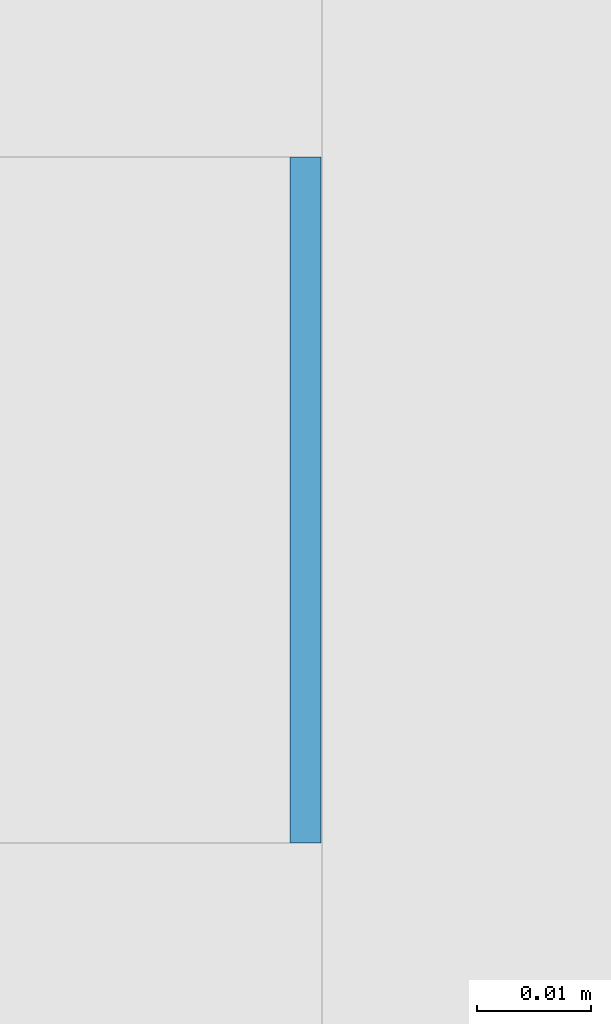
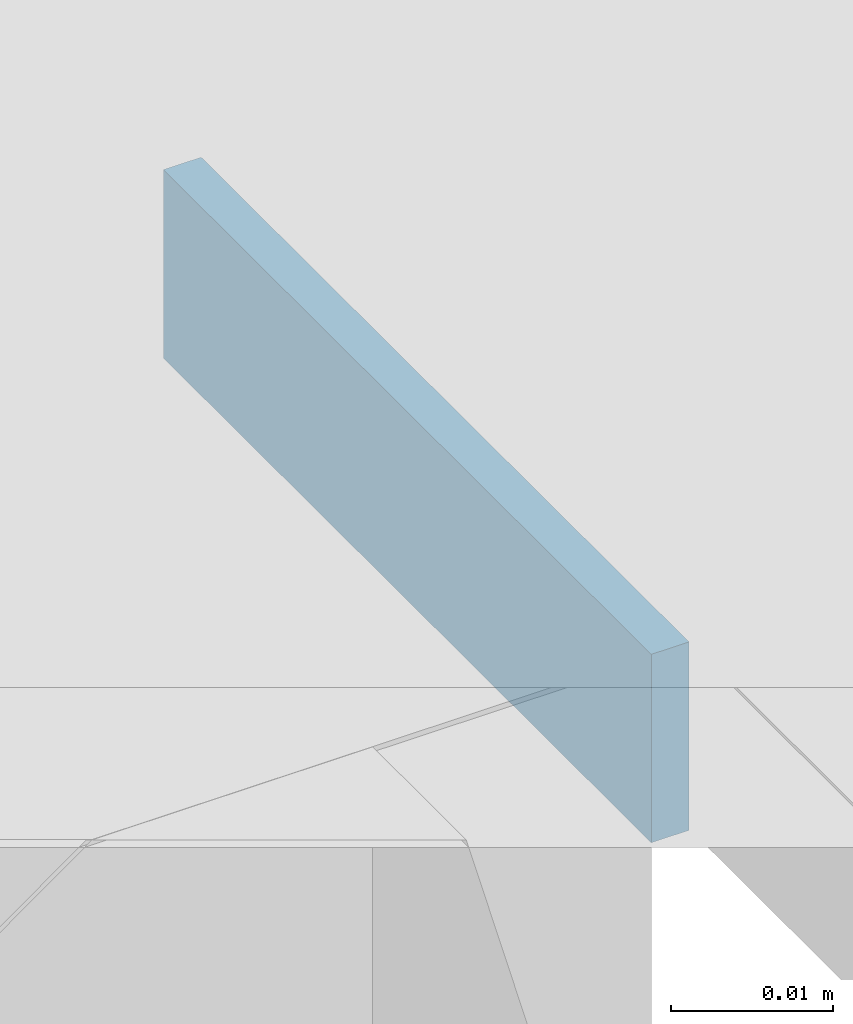
# One storey, part 623 of 646: 1 discrete accessory.
"""IFC4 building model written with IfcOpenShell, lengths in metres."""

import ifcopenshell
import ifcopenshell.guid

model = None  # the IFC model being written
_history = None  # IfcOwnerHistory: only IFC2X3 demands one
_inside = {}  # id of a spatial element -> (the spatial element, [elements in it])
_under = {}  # id of a project, library or spatial element -> (it, [spatial elements below it])
_declared = {}  # id of a project -> (the project, [libraries it declares])
_typed = {}  # id of a type object -> (the type object, [elements of that type])
_made_of = {}  # id of a material, layer set ... -> (it, [elements and type objects made of it])


def new_model(schema):
    """Start an empty IFC model of exactly this schema.

    Asked for "IFC4X3", IfcOpenShell would pick the latest addendum, in which some entities
    have other attributes; the version numbers below select the first issue.
    IFC2X3 requires an IfcOwnerHistory on every rooted entity: one is made here for all.
    """
    global model, _history
    if schema == "IFC4X3":
        model = ifcopenshell.file(schema_version=(4, 3, 0, 0))
    else:
        model = ifcopenshell.file(schema=schema)
    _inside.clear()
    _under.clear()
    _declared.clear()
    _typed.clear()
    _made_of.clear()
    _history = None
    if model.schema == "IFC2X3":
        org = make("IfcOrganization", Name="unknown")
        user = make(
            "IfcPersonAndOrganization",
            ThePerson=make("IfcPerson", FamilyName="unknown"),
            TheOrganization=org,
        )
        app = make(
            "IfcApplication",
            ApplicationDeveloper=org,
            Version="unknown",
            ApplicationFullName="unknown",
            ApplicationIdentifier="unknown",
        )
        _history = make(
            "IfcOwnerHistory",
            OwningUser=user,
            OwningApplication=app,
            ChangeAction="ADDED",
            CreationDate=0,
        )
    return model


def make(cls, **values):
    """One entity of the class cls with the attributes given. An attribute that is None is left unset."""
    return model.create_entity(
        cls, **{name: value for name, value in values.items() if value is not None}
    )


def rooted(cls, **values):
    """An entity with a GlobalId (a new one), such as an element, a storey or a relation."""
    return make(cls, GlobalId=ifcopenshell.guid.new(), OwnerHistory=_history, **values)


def si_unit(unit_type, name, prefix=None):
    """IfcSIUnit, for example si_unit("LENGTHUNIT", "METRE", prefix="MILLI")."""
    return make("IfcSIUnit", UnitType=unit_type, Prefix=prefix, Name=name)


def assignment(units):
    """IfcUnitAssignment: the units of a project."""
    return None if units is None else make("IfcUnitAssignment", Units=units)


def point(xyz):
    """IfcCartesianPoint."""
    return None if xyz is None else make("IfcCartesianPoint", Coordinates=xyz)


def direction(xyz):
    """IfcDirection."""
    return None if xyz is None else make("IfcDirection", DirectionRatios=xyz)


def frame(location, z_axis=None, x_axis=None):
    """IfcAxis2Placement3D, a coordinate frame: its origin and axes. An axis left out is left unset."""
    return make(
        "IfcAxis2Placement3D",
        Location=point(location),
        Axis=direction(z_axis),
        RefDirection=direction(x_axis),
    )


def frame_2d(location, x_axis=None):
    """IfcAxis2Placement2D, a coordinate frame in the plane: its origin and x axis."""
    return make(
        "IfcAxis2Placement2D", Location=point(location), RefDirection=direction(x_axis)
    )


def origin():
    """The frame at (0, 0, 0) with its axes left unset."""
    return frame((0.0, 0.0, 0.0))


def origin_2d():
    """The frame at (0, 0) in the plane with its x axis left unset."""
    return frame_2d((0.0, 0.0))


def place(relative_to, where):
    """IfcLocalPlacement: puts the frame where relative to a parent placement (None: the world)."""
    return make(
        "IfcLocalPlacement", PlacementRelTo=relative_to, RelativePlacement=where
    )


def context(
    kind, dimensions, precision=None, world=None, true_north=None, identifier=None
):
    """IfcGeometricRepresentationContext, for example the 3D "Model" context."""
    return make(
        "IfcGeometricRepresentationContext",
        ContextIdentifier=identifier,
        ContextType=kind,
        CoordinateSpaceDimension=dimensions,
        Precision=precision,
        WorldCoordinateSystem=world,
        TrueNorth=true_north,
    )


def subcontext(parent, identifier, kind, view, scale=None):
    """IfcGeometricRepresentationSubContext, for example "Body" below "Model"."""
    return make(
        "IfcGeometricRepresentationSubContext",
        ContextIdentifier=identifier,
        ContextType=kind,
        ParentContext=parent,
        TargetScale=scale,
        TargetView=view,
    )


def project(units=None, contexts=None):
    """IfcProject with its units and contexts."""
    return rooted(
        "IfcProject",
        Name="project",
        RepresentationContexts=contexts,
        UnitsInContext=assignment(units),
    )


def spatial(cls, under=None, at=None, **own):
    """A site, building, storey or space (cls), placed at a placement, below another one or the project."""
    s = rooted(cls, ObjectPlacement=at, **own)
    if under is not None:
        _under.setdefault(under.id(), (under, []))[1].append(s)
    return s


def profile(cls, at=None, kind="AREA", **sizes):
    """A parametric profile (cls). Its sizes go by their IFC names, for example OverallWidth=200.0."""
    return make(cls, ProfileType=kind, Position=at, **sizes)


def rectangle(**sizes):
    """IfcRectangleProfileDef."""
    return profile("IfcRectangleProfileDef", **sizes)


def extrude(swept, where, along, depth):
    """IfcExtrudedAreaSolid: the profile swept, set in the frame where, extruded along a direction by depth."""
    return make(
        "IfcExtrudedAreaSolid",
        SweptArea=swept,
        Position=where,
        ExtrudedDirection=direction(along),
        Depth=depth,
    )


def shape(context_of_items, identifier, shape_type, items):
    """IfcShapeRepresentation: the items that make up one representation, for example the "Body"."""
    return make(
        "IfcShapeRepresentation",
        ContextOfItems=context_of_items,
        RepresentationIdentifier=identifier,
        RepresentationType=shape_type,
        Items=items,
    )


def material(Name=None, Category=None):
    """IfcMaterial."""
    return make("IfcMaterial", Name=Name, Category=Category)


def made_of(thing, what):
    """Note that an element or type object is made of a material, layer set ...; save() writes the relation."""
    if what is not None:
        _made_of.setdefault(what.id(), (what, []))[1].append(thing)
    return thing


def type_object(cls, material=None, **own):
    """A type object (cls), such as IfcWallType, which elements share."""
    return made_of(rooted(cls, **own), material)


def element(
    cls,
    number,
    at=None,
    inside=None,
    cuts=None,
    type_object=None,
    material=None,
    context=None,
    identifier="Body",
    shape_type=None,
    held_by="IfcProductDefinitionShape",
    body=None,
    shapes=None,
    **own,
):
    """One element of the class cls, such as IfcWall. Its Tag is "e" and its number.

    at: its placement. inside: the storey or other place that contains it. cuts: it is an
    opening in that element (IfcRelVoidsElement). A single representation is given by context,
    identifier, shape_type and body (its items); several are given by shapes. held_by: the class
    of the entity that holds the representations. save() writes the other relations.
    """
    e = rooted(cls, Tag="e%d" % number, ObjectPlacement=at, **own)
    if body is not None:
        shapes = [shape(context, identifier, shape_type, body)]
    if shapes is not None:
        e.Representation = make(held_by, Representations=shapes)
    if inside is not None:
        _inside.setdefault(inside.id(), (inside, []))[1].append(e)
    if cuts is not None:
        rooted(
            "IfcRelVoidsElement", RelatingBuildingElement=cuts, RelatedOpeningElement=e
        )
    if type_object is not None:
        _typed.setdefault(type_object.id(), (type_object, []))[1].append(e)
    return made_of(e, material)


def aggregate(whole, parts):
    """IfcRelAggregates: a whole, such as a stair, and the parts it consists of."""
    return rooted("IfcRelAggregates", RelatingObject=whole, RelatedObjects=parts)


def save(model, path):
    """Write the relations noted so far, then the file.

    IfcRelAggregates (storeys below a building ...), IfcRelContainedInSpatialStructure (elements
    in a storey), IfcRelDefinesByType, IfcRelAssociatesMaterial and IfcRelDeclares: one each for
    every whole, place, type object, material and project.
    """
    for whole, parts in _under.values():
        aggregate(whole, parts)
    for where, things in _inside.values():
        rooted(
            "IfcRelContainedInSpatialStructure",
            RelatedElements=things,
            RelatingStructure=where,
        )
    for kind, things in _typed.values():
        rooted("IfcRelDefinesByType", RelatedObjects=things, RelatingType=kind)
    for what, things in _made_of.values():
        rooted("IfcRelAssociatesMaterial", RelatedObjects=things, RelatingMaterial=what)
    for by, libraries in _declared.values():
        rooted("IfcRelDeclares", RelatingContext=by, RelatedDefinitions=libraries)
    model.write(path)


model = new_model("IFC4")

# Units and contexts
model_context = context("Model", 3, precision=1e-05, world=origin(), true_north=direction((0.0, 1.0)))
body_context = subcontext(model_context, "Body", "Model", "MODEL_VIEW")
ifc_project = project(units=[si_unit("LENGTHUNIT", "METRE"), si_unit("AREAUNIT", "SQUARE_METRE"), si_unit("VOLUMEUNIT", "CUBIC_METRE"), si_unit("PLANEANGLEUNIT", "RADIAN"), si_unit("MASSUNIT", "GRAM", prefix="KILO")], contexts=[model_context])

# Site, building, storey
site_placement = place(None, origin())
site = spatial("IfcSite", under=ifc_project, at=site_placement, CompositionType="ELEMENT")
building_placement = place(site_placement, origin())
building = spatial("IfcBuilding", under=site, at=building_placement, Name="Silverbay Arena", CompositionType="ELEMENT")
storey_placement = place(building_placement, frame((0.0, 0.0, 33.5)))
storey = spatial("IfcBuildingStorey", under=building, at=storey_placement, Name="L05", CompositionType="ELEMENT", Elevation=33.5)

# Discrete accessory
ifc_material = material(Name="Steel S355", Category="steel")
discrete_accessory_type = type_object("IfcDiscreteAccessoryType", Name="Steel bracket plate", PredefinedType="BRACKET", material=ifc_material)
discrete_accessory_placement = place(storey_placement, frame((53.871337890625, 152.969970703125, 12.98583984375), z_axis=(0.0, 0.0, 1.0), x_axis=(1.0, 0.0, 0.0)))
element("IfcDiscreteAccessory", 1, at=discrete_accessory_placement, inside=storey, type_object=discrete_accessory_type, Name="Curtain wall packing plate", PredefinedType="BRACKET", context=body_context, shape_type="SweptSolid", body=[
    extrude(rectangle(XDim=0.002685546875, YDim=0.06005859375, at=origin_2d()), origin(), (0.0, 0.0, 1.0), 0.01416015625),
])

save(model, "model.ifc")
